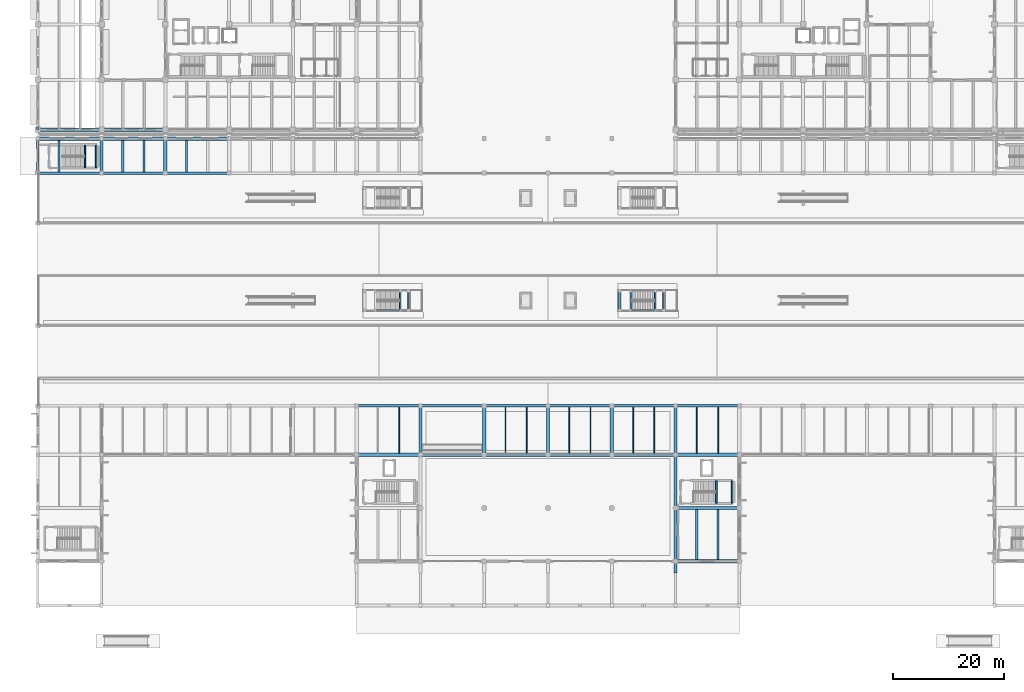
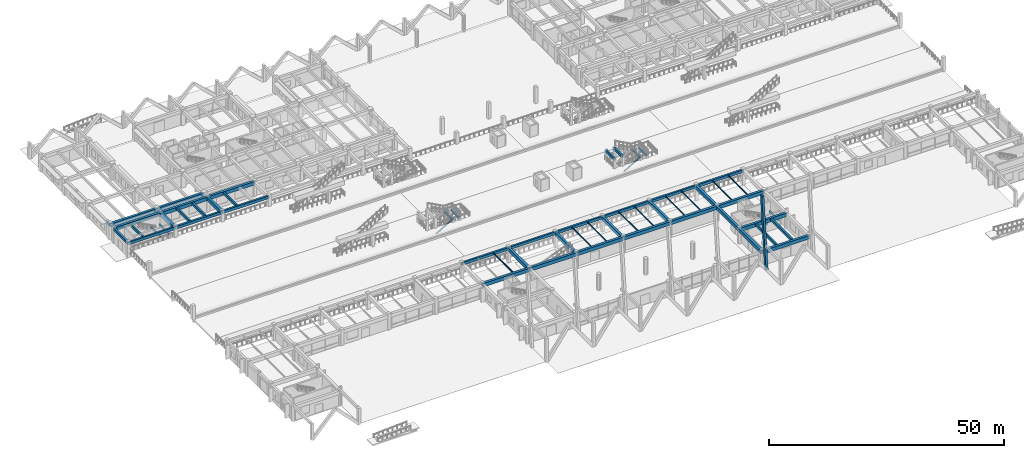
# One storey, part 25 of 109: 58 beams, 3 members.
"""IFC4 building model written with IfcOpenShell, lengths in metres."""

from ifc_helpers import new_model, si_unit, direction, frame, origin, origin_2d, place, context, subcontext, project, spatial, rectangle, hollow_rectangle, i_section, extrude, material, material_profile, profile_set, type_object, element, save


model = new_model("IFC4")

# Units and contexts
model_context = context("Model", 3, precision=1e-05, world=origin(), true_north=direction((0.0, 1.0)))
body_context = subcontext(model_context, "Body", "Model", "MODEL_VIEW")
ifc_project = project(units=[si_unit("LENGTHUNIT", "METRE"), si_unit("AREAUNIT", "SQUARE_METRE"), si_unit("VOLUMEUNIT", "CUBIC_METRE"), si_unit("PLANEANGLEUNIT", "RADIAN"), si_unit("MASSUNIT", "GRAM", prefix="KILO")], contexts=[model_context])

# Site, building, storey
site_placement = place(None, origin())
site = spatial("IfcSite", under=ifc_project, at=site_placement, CompositionType="ELEMENT")
building_placement = place(site_placement, origin())
building = spatial("IfcBuilding", under=site, at=building_placement, Name="Ologun Quay Terminus", CompositionType="ELEMENT")
storey_placement = place(building_placement, origin())
storey = spatial("IfcBuildingStorey", under=building, at=storey_placement, Name="L00", CompositionType="ELEMENT", Elevation=0.0)

# Beams
ifc_material_1 = material(Name="Concrete C40/50", Category="concrete")
ifc_material_profile_1 = material_profile(ifc_material_1, rectangle(XDim=0.300048828125, YDim=0.449951171875, at=origin_2d()), Name="RC 300x450")
ifc_profile_set_1 = profile_set([ifc_material_profile_1], Name="Concrete C40/50")
beam_type_1 = type_object("IfcBeamType", Name="Core Coupling Lintel Beam 300x450", PredefinedType="LINTEL", material=ifc_profile_set_1)
for number, where, z_axis, x_axis, name in (
    (1, (65.300048828125, 53.25, 1.695068359375), (0.0, 1.0, 0.0), (-1.0, 0.0, 0.0), "LN1 Beam 6/E L00"),
    (2, (66.85009765625, 53.25, 1.695068359375), (0.0, 1.0, 0.0), (-1.0, 0.0, 0.0), "LN1 Beam 6/E L00"),
    (3, (111.300048828125, 53.25, 1.695068359375), (0.0, 1.0, 0.0), (-1.0, 0.0, 0.0), "LN1 Beam 10/E L00"),
    (4, (112.85009765625, 53.25, 1.695068359375), (0.0, 1.0, 0.0), (-1.0, 0.0, 0.0), "LN1 Beam 10/E L00"),
):
    element("IfcBeam", number, at=place(storey_placement, frame(where, z_axis=z_axis, x_axis=x_axis)), inside=storey, type_object=beam_type_1, Name=name, PredefinedType="LINTEL", context=body_context, shape_type="SweptSolid", body=[
        extrude(rectangle(XDim=0.300048828125, YDim=0.449951171875, at=origin_2d()), origin(), (0.0, 0.0, 1.0), 3.5),
    ])
for number, where, z_axis, x_axis, name in (
    (5, (122.340087890625, 18.47998046875, 1.695068359375), (0.0, 1.0, 0.0), (-1.0, 0.0, 0.0), "LN1 Half-Landing Ledger Beam ST-S4-W L00"),
    (6, (125.159912109375, 18.47998046875, 1.695068359375), (0.0, 1.0, 0.0), (-1.0, 0.0, 0.0), "LN1 Half-Landing Ledger Beam ST-S4-E L00"),
    (7, (8.489990234375, 78.97998046875, 1.695068359375), (0.0, 1.0, 0.0), (-1.0, 0.0, 0.0), "LN1 Half-Landing Ledger Beam ST-NG1-W L00"),
    (8, (10.510009765625, 78.97998046875, 1.695068359375), (0.0, 1.0, 0.0), (-1.0, 0.0, 0.0), "LN1 Half-Landing Ledger Beam ST-NG1-E L00"),
):
    element("IfcBeam", number, at=place(storey_placement, frame(where, z_axis=z_axis, x_axis=x_axis)), inside=storey, type_object=beam_type_1, Name=name, PredefinedType="LINTEL", context=body_context, shape_type="SweptSolid", body=[
        extrude(rectangle(XDim=0.300048828125, YDim=0.449951171875, at=origin_2d()), origin(), (0.0, 0.0, 1.0), 4.0400390625),
    ])
ifc_material_2 = material(Name="Concrete C40/50", Category="concrete")
ifc_material_profile_2 = material_profile(ifc_material_2, rectangle(XDim=0.550048828125, YDim=0.800048828125, at=origin_2d()), Name="RC 550x800")
ifc_profile_set_2 = profile_set([ifc_material_profile_2], Name="Concrete C40/50")
beam_type_2 = type_object("IfcBeamType", Name="Courtyard Wing Primary Girder 550x800", PredefinedType="BEAM", material=ifc_profile_set_2)
for number, where, z_axis, x_axis, name in (
    (9, (0.0, 85.800048828125, 3.550048828125), (1.0, 0.0, 0.0), (0.0, 1.0, 0.0), "B4 Beam 1/G2 L00"),
    (10, (11.5, 85.800048828125, 3.550048828125), (1.0, 0.0, 0.0), (0.0, 1.0, 0.0), "B4 Beam 2/G2 L00"),
):
    element("IfcBeam", number, at=place(storey_placement, frame(where, z_axis=z_axis, x_axis=x_axis)), inside=storey, type_object=beam_type_2, Name=name, PredefinedType="BEAM", context=body_context, shape_type="SweptSolid", body=[
        extrude(rectangle(XDim=0.550048828125, YDim=0.800048828125, at=origin_2d()), origin(), (0.0, 0.0, 1.0), 11.5),
    ])

# Member
ifc_material_3 = material(Name="Concrete C45/55", Category="concrete")
ifc_material_profile_3 = material_profile(ifc_material_3, rectangle(XDim=0.550048828125, YDim=0.699951171875, at=origin_2d()), Name="RC 550x700")
ifc_profile_set_3 = profile_set([ifc_material_profile_3], Name="Concrete C45/55")
member_type_1 = type_object("IfcMemberType", Name="Folded Canopy Concrete V-Strut 550x700", PredefinedType="STRUT", material=ifc_profile_set_3)
member_placement = place(storey_placement, frame((115.0, 6.199951171875, 0.0), z_axis=(0.0, 0.099178744049, 0.995069634111), x_axis=(-1.0, 0.0, 0.0)))
element("IfcMember", 11, at=member_placement, inside=storey, type_object=member_type_1, Name="VS2 Raked Concrete Portal Rib 11/B", PredefinedType="STRUT", context=body_context, shape_type="SweptSolid", body=[
    extrude(rectangle(XDim=0.550048828125, YDim=0.699951171875, at=origin_2d()), origin(), (0.0, 0.0, 1.0), 18.149658203125),
])

# Beams
ifc_material_4 = material(Name="Steel S355", Category="steel")
ifc_material_profile_4 = material_profile(ifc_material_4, i_section(OverallWidth=0.1650390625, OverallDepth=0.303466796875, WebThickness=0.006103515625, FlangeThickness=0.01025390625, at=origin_2d()), Name="UKB 305x165x40")
ifc_profile_set_4 = profile_set([ifc_material_profile_4], Name="Steel S355")
beam_type_3 = type_object("IfcBeamType", Name="Mezzanine Steel Joist UKB305", PredefinedType="JOIST", material=ifc_profile_set_4)
for number, where, z_axis, x_axis, name in (
    (12, (65.166748046875, 27.5, 3.748291015625), (0.0, 1.0, 0.0), (-1.0, 0.0, 0.0), "SJ1 Beam 6/D L00"),
    (13, (84.333251953125, 27.5, 3.748291015625), (0.0, 1.0, 0.0), (-1.0, 0.0, 0.0), "SJ1 Beam 8/D L00"),
    (14, (88.166748046875, 27.5, 3.748291015625), (0.0, 1.0, 0.0), (-1.0, 0.0, 0.0), "SJ1 Beam 8/D L00"),
    (15, (95.833251953125, 27.5, 3.748291015625), (0.0, 1.0, 0.0), (-1.0, 0.0, 0.0), "SJ1 Beam 9/D L00"),
    (16, (99.666748046875, 27.5, 3.748291015625), (0.0, 1.0, 0.0), (-1.0, 0.0, 0.0), "SJ1 Beam 9/D L00"),
    (17, (107.333251953125, 27.5, 3.748291015625), (0.0, 1.0, 0.0), (-1.0, 0.0, 0.0), "SJ1 Beam 10/D L00"),
    (18, (111.166748046875, 27.5, 3.748291015625), (0.0, 1.0, 0.0), (-1.0, 0.0, 0.0), "SJ1 Beam 10/D L00"),
    (19, (118.833251953125, 27.5, 3.748291015625), (0.0, 1.0, 0.0), (-1.0, 0.0, 0.0), "SJ1 Beam 11/D L00"),
    (20, (122.666748046875, 27.5, 3.748291015625), (0.0, 1.0, 0.0), (-1.0, 0.0, 0.0), "SJ1 Beam 11/D L00"),
):
    element("IfcBeam", number, at=place(storey_placement, frame(where, z_axis=z_axis, x_axis=x_axis)), inside=storey, type_object=beam_type_3, Name=name, PredefinedType="JOIST", context=body_context, shape_type="SweptSolid", body=[
        extrude(i_section(OverallWidth=0.1650390625, OverallDepth=0.303466796875, WebThickness=0.006103515625, FlangeThickness=0.01025390625, at=origin_2d()), origin(), (0.0, 0.0, 1.0), 8.27490234375),
    ])
ifc_material_5 = material(Name="Concrete C40/50", Category="concrete")
ifc_material_profile_5 = material_profile(ifc_material_5, rectangle(XDim=0.449951171875, YDim=0.699951171875, at=origin_2d()), Name="RC 450x700")
ifc_profile_set_5 = profile_set([ifc_material_profile_5], Name="Concrete C40/50")
beam_type_4 = type_object("IfcBeamType", Name="Perimeter Spandrel Beam 450x700", PredefinedType="SPANDREL", material=ifc_profile_set_5)
for number, where, z_axis, x_axis, name in (
    (21, (57.5, 36.0, 3.550048828125), (1.0, 0.0, 0.0), (0.0, 1.0, 0.0), "SP1 Beam 6/E L00"),
    (22, (69.0, 36.0, 3.550048828125), (1.0, 0.0, 0.0), (0.0, 1.0, 0.0), "SP1 Beam 7/E L00"),
    (23, (80.5, 36.0, 3.550048828125), (1.0, 0.0, 0.0), (0.0, 1.0, 0.0), "SP1 Beam 8/E L00"),
    (24, (92.0, 36.0, 3.550048828125), (1.0, 0.0, 0.0), (0.0, 1.0, 0.0), "SP1 Beam 9/E L00"),
    (25, (103.5, 36.0, 3.550048828125), (1.0, 0.0, 0.0), (0.0, 1.0, 0.0), "SP1 Beam 10/E L00"),
    (26, (115.0, 36.0, 3.550048828125), (1.0, 0.0, 0.0), (0.0, 1.0, 0.0), "SP1 Beam 11/E L00"),
    (27, (0.0, 78.0, 3.550048828125), (1.0, 0.0, 0.0), (0.0, 1.0, 0.0), "SP1 Beam 1/F L00"),
    (28, (11.5, 78.0, 3.550048828125), (1.0, 0.0, 0.0), (0.0, 1.0, 0.0), "SP1 Beam 2/F L00"),
    (29, (23.0, 78.0, 3.550048828125), (1.0, 0.0, 0.0), (0.0, 1.0, 0.0), "SP1 Beam 3/F L00"),
):
    element("IfcBeam", number, at=place(storey_placement, frame(where, z_axis=z_axis, x_axis=x_axis)), inside=storey, type_object=beam_type_4, Name=name, PredefinedType="SPANDREL", context=body_context, shape_type="SweptSolid", body=[
        extrude(rectangle(XDim=0.449951171875, YDim=0.699951171875, at=origin_2d()), origin(), (0.0, 0.0, 1.0), 11.5),
    ])
beam_1_placement = place(storey_placement, frame((0.0, 78.0, 3.550048828125), z_axis=(0.0, 1.0, 0.0), x_axis=(-1.0, 0.0, 0.0)))
element("IfcBeam", 30, at=beam_1_placement, inside=storey, type_object=beam_type_4, Name="SP1 Beam 1/F L00", PredefinedType="SPANDREL", context=body_context, shape_type="SweptSolid", body=[
    extrude(rectangle(XDim=0.449951171875, YDim=0.699951171875, at=origin_2d()), origin(), (0.0, 0.0, 1.0), 6.199951171875),
])
beam_2_placement = place(storey_placement, frame((0.0, 85.800048828125, 3.60009765625), z_axis=(0.0, 1.0, 0.0), x_axis=(-1.0, 0.0, 0.0)))
element("IfcBeam", 31, at=beam_2_placement, inside=storey, type_object=beam_type_4, Name="SP1 Beam 1/G2 L00", PredefinedType="SPANDREL", context=body_context, shape_type="SweptSolid", body=[
    extrude(rectangle(XDim=0.449951171875, YDim=0.699951171875, at=origin_2d()), origin(), (0.0, 0.0, 1.0), 0.89990234375),
])

# Members
ifc_material_6 = material(Name="Steel S355", Category="steel")
ifc_material_profile_6 = material_profile(ifc_material_6, hollow_rectangle(XDim=0.199951171875, YDim=0.300048828125, WallThickness=0.010009765625, at=origin_2d()), Name="RHS 300x200x10")
ifc_profile_set_6 = profile_set([ifc_material_profile_6], Name="Steel S355")
member_type_2 = type_object("IfcMemberType", Name="Platform Feature Stair Steel Stringer RHS300", PredefinedType="STRINGER", material=ifc_profile_set_6)
for number, where, z_axis, x_axis, name in (
    (32, (61.199951171875, 53.25, -0.449951171875), (0.858425114186, 0.0, 0.512938907994), (0.0, 1.0, 0.0), "SG1 Steel Stringer ST-P1-S"),
    (33, (107.199951171875, 53.25, -0.449951171875), (0.858425114186, 0.0, 0.512938907994), (0.0, 1.0, 0.0), "SG1 Steel Stringer ST-P2-S"),
):
    element("IfcMember", number, at=place(storey_placement, frame(where, z_axis=z_axis, x_axis=x_axis)), inside=storey, type_object=member_type_2, Name=name, PredefinedType="STRINGER", context=body_context, shape_type="SweptSolid", body=[
        extrude(hollow_rectangle(XDim=0.199951171875, YDim=0.300048828125, WallThickness=0.010009765625, at=origin_2d()), origin(), (0.0, 0.0, 1.0), 4.7763671875),
    ])

# Beams
ifc_material_7 = material(Name="Concrete C40/50", Category="concrete")
ifc_material_profile_7 = material_profile(ifc_material_7, rectangle(XDim=0.60009765625, YDim=0.89990234375, at=origin_2d()), Name="RC 600x900")
ifc_profile_set_7 = profile_set([ifc_material_profile_7], Name="Concrete C40/50")
beam_type_5 = type_object("IfcBeamType", Name="Station Frame Girder 600x900", PredefinedType="BEAM", material=ifc_profile_set_7)
for number, where, z_axis, x_axis, name in (
    (34, (115.0, 8.0, 3.449951171875), (1.0, 0.0, 0.0), (0.0, 1.0, 0.0), "B3 Beam 11/B L00"),
    (35, (115.0, 17.60009765625, 3.449951171875), (1.0, 0.0, 0.0), (0.0, 1.0, 0.0), "B3 Beam 11/C L00"),
    (36, (57.5, 27.199951171875, 3.449951171875), (1.0, 0.0, 0.0), (0.0, 1.0, 0.0), "B3 Beam 6/D L00"),
    (37, (69.0, 27.199951171875, 3.449951171875), (1.0, 0.0, 0.0), (0.0, 1.0, 0.0), "B3 Beam 7/D L00"),
    (38, (80.5, 27.199951171875, 3.449951171875), (1.0, 0.0, 0.0), (0.0, 1.0, 0.0), "B3 Beam 8/D L00"),
    (39, (92.0, 27.199951171875, 3.449951171875), (1.0, 0.0, 0.0), (0.0, 1.0, 0.0), "B3 Beam 9/D L00"),
    (40, (103.5, 27.199951171875, 3.449951171875), (1.0, 0.0, 0.0), (0.0, 1.0, 0.0), "B3 Beam 10/D L00"),
    (41, (115.0, 27.199951171875, 3.449951171875), (1.0, 0.0, 0.0), (0.0, 1.0, 0.0), "B3 Beam 11/D L00"),
    (42, (0.0, 84.199951171875, 3.449951171875), (1.0, 0.0, 0.0), (0.0, 1.0, 0.0), "B3 Beam 1/G1 L00"),
    (43, (11.5, 84.199951171875, 3.449951171875), (1.0, 0.0, 0.0), (0.0, 1.0, 0.0), "B3 Beam 2/G1 L00"),
    (44, (23.0, 84.199951171875, 3.449951171875), (1.0, 0.0, 0.0), (0.0, 1.0, 0.0), "B3 Beam 3/G1 L00"),
):
    element("IfcBeam", number, at=place(storey_placement, frame(where, z_axis=z_axis, x_axis=x_axis)), inside=storey, type_object=beam_type_5, Name=name, PredefinedType="BEAM", context=body_context, shape_type="SweptSolid", body=[
        extrude(rectangle(XDim=0.60009765625, YDim=0.89990234375, at=origin_2d()), origin(), (0.0, 0.0, 1.0), 11.5),
    ])
for number, where, z_axis, x_axis, name in (
    (45, (11.5, 78.0, 3.449951171875), (0.0, 1.0, 0.0), (-1.0, 0.0, 0.0), "B3 Beam 2/F L00"),
    (46, (23.0, 78.0, 3.449951171875), (0.0, 1.0, 0.0), (-1.0, 0.0, 0.0), "B3 Beam 3/F L00"),
):
    element("IfcBeam", number, at=place(storey_placement, frame(where, z_axis=z_axis, x_axis=x_axis)), inside=storey, type_object=beam_type_5, Name=name, PredefinedType="BEAM", context=body_context, shape_type="SweptSolid", body=[
        extrude(rectangle(XDim=0.60009765625, YDim=0.89990234375, at=origin_2d()), origin(), (0.0, 0.0, 1.0), 6.199951171875),
    ])
for number, where, z_axis, x_axis, name in (
    (47, (69.0, 27.199951171875, 3.449951171875), (0.0, 1.0, 0.0), (-1.0, 0.0, 0.0), "B3 Beam 7/D L00"),
    (48, (80.5, 27.199951171875, 3.449951171875), (0.0, 1.0, 0.0), (-1.0, 0.0, 0.0), "B3 Beam 8/D L00"),
    (49, (92.0, 27.199951171875, 3.449951171875), (0.0, 1.0, 0.0), (-1.0, 0.0, 0.0), "B3 Beam 9/D L00"),
    (50, (103.5, 27.199951171875, 3.449951171875), (0.0, 1.0, 0.0), (-1.0, 0.0, 0.0), "B3 Beam 10/D L00"),
):
    element("IfcBeam", number, at=place(storey_placement, frame(where, z_axis=z_axis, x_axis=x_axis)), inside=storey, type_object=beam_type_5, Name=name, PredefinedType="BEAM", context=body_context, shape_type="SweptSolid", body=[
        extrude(rectangle(XDim=0.60009765625, YDim=0.89990234375, at=origin_2d()), origin(), (0.0, 0.0, 1.0), 8.800048828125),
    ])
beam_3_placement = place(storey_placement, frame((115.0, 8.0, 3.449951171875), z_axis=(0.0, 1.0, 0.0), x_axis=(-1.0, 0.0, 0.0)))
element("IfcBeam", 51, at=beam_3_placement, inside=storey, type_object=beam_type_5, Name="B3 Beam 11/B L00", PredefinedType="BEAM", context=body_context, shape_type="SweptSolid", body=[
    extrude(rectangle(XDim=0.60009765625, YDim=0.89990234375, at=origin_2d()), origin(), (0.0, 0.0, 1.0), 9.60009765625),
])
beam_4_placement = place(storey_placement, frame((115.0, 17.60009765625, 3.449951171875), z_axis=(0.0, 1.0, 0.0), x_axis=(-1.0, 0.0, 0.0)))
element("IfcBeam", 52, at=beam_4_placement, inside=storey, type_object=beam_type_5, Name="B3 Beam 11/C L00", PredefinedType="BEAM", context=body_context, shape_type="SweptSolid", body=[
    extrude(rectangle(XDim=0.60009765625, YDim=0.89990234375, at=origin_2d()), origin(), (0.0, 0.0, 1.0), 9.599853515625),
])
beam_5_placement = place(storey_placement, frame((115.0, 27.199951171875, 3.449951171875), z_axis=(0.0, 1.0, 0.0), x_axis=(-1.0, 0.0, 0.0)))
element("IfcBeam", 53, at=beam_5_placement, inside=storey, type_object=beam_type_5, Name="B3 Beam 11/D L00", PredefinedType="BEAM", context=body_context, shape_type="SweptSolid", body=[
    extrude(rectangle(XDim=0.60009765625, YDim=0.89990234375, at=origin_2d()), origin(), (0.0, 0.0, 1.0), 8.800048828125),
])
ifc_material_8 = material(Name="Concrete C40/50", Category="concrete")
ifc_material_profile_8 = material_profile(ifc_material_8, rectangle(XDim=0.39990234375, YDim=0.64990234375, at=origin_2d()), Name="RC 400x650")
ifc_profile_set_8 = profile_set([ifc_material_profile_8], Name="Concrete C40/50")
beam_type_6 = type_object("IfcBeamType", Name="Station Secondary Joist 400x650", PredefinedType="JOIST", material=ifc_profile_set_8)
for number, where, z_axis, x_axis, name in (
    (54, (104.949951171875, 53.25, 3.574951171875), (0.0, 1.0, 0.0), (-1.0, 0.0, 0.0), "J1 Beam 10/E L00"),
    (55, (106.949951171875, 53.25, 3.574951171875), (0.0, 1.0, 0.0), (-1.0, 0.0, 0.0), "J1 Beam 10/E L00"),
):
    element("IfcBeam", number, at=place(storey_placement, frame(where, z_axis=z_axis, x_axis=x_axis)), inside=storey, type_object=beam_type_6, Name=name, PredefinedType="JOIST", context=body_context, shape_type="SweptSolid", body=[
        extrude(rectangle(XDim=0.39990234375, YDim=0.64990234375, at=origin_2d()), origin(), (0.0, 0.0, 1.0), 3.5),
    ])
for number, where, z_axis, x_axis, name in (
    (56, (3.833251953125, 78.22509765625, 3.574951171875), (0.0, 1.0, 0.0), (-1.0, 0.0, 0.0), "J1 Beam 1/F L00"),
    (57, (15.333251953125, 78.22509765625, 3.574951171875), (0.0, 1.0, 0.0), (-1.0, 0.0, 0.0), "J1 Beam 2/F L00"),
    (58, (19.166748046875, 78.22509765625, 3.574951171875), (0.0, 1.0, 0.0), (-1.0, 0.0, 0.0), "J1 Beam 2/F L00"),
    (59, (26.833251953125, 78.22509765625, 3.574951171875), (0.0, 1.0, 0.0), (-1.0, 0.0, 0.0), "J1 Beam 3/F L00"),
):
    element("IfcBeam", number, at=place(storey_placement, frame(where, z_axis=z_axis, x_axis=x_axis)), inside=storey, type_object=beam_type_6, Name=name, PredefinedType="JOIST", context=body_context, shape_type="SweptSolid", body=[
        extrude(rectangle(XDim=0.39990234375, YDim=0.64990234375, at=origin_2d()), origin(), (0.0, 0.0, 1.0), 5.6748046875),
    ])
for number, where, z_axis, x_axis, name in (
    (60, (118.833251953125, 8.300048828125, 3.574951171875), (0.0, 1.0, 0.0), (-1.0, 0.0, 0.0), "J1 Beam 11/B L00"),
    (61, (122.666748046875, 8.300048828125, 3.574951171875), (0.0, 1.0, 0.0), (-1.0, 0.0, 0.0), "J1 Beam 11/B L00"),
):
    element("IfcBeam", number, at=place(storey_placement, frame(where, z_axis=z_axis, x_axis=x_axis)), inside=storey, type_object=beam_type_6, Name=name, PredefinedType="JOIST", context=body_context, shape_type="SweptSolid", body=[
        extrude(rectangle(XDim=0.39990234375, YDim=0.64990234375, at=origin_2d()), origin(), (0.0, 0.0, 1.0), 9.0),
    ])

save(model, "model.ifc")
